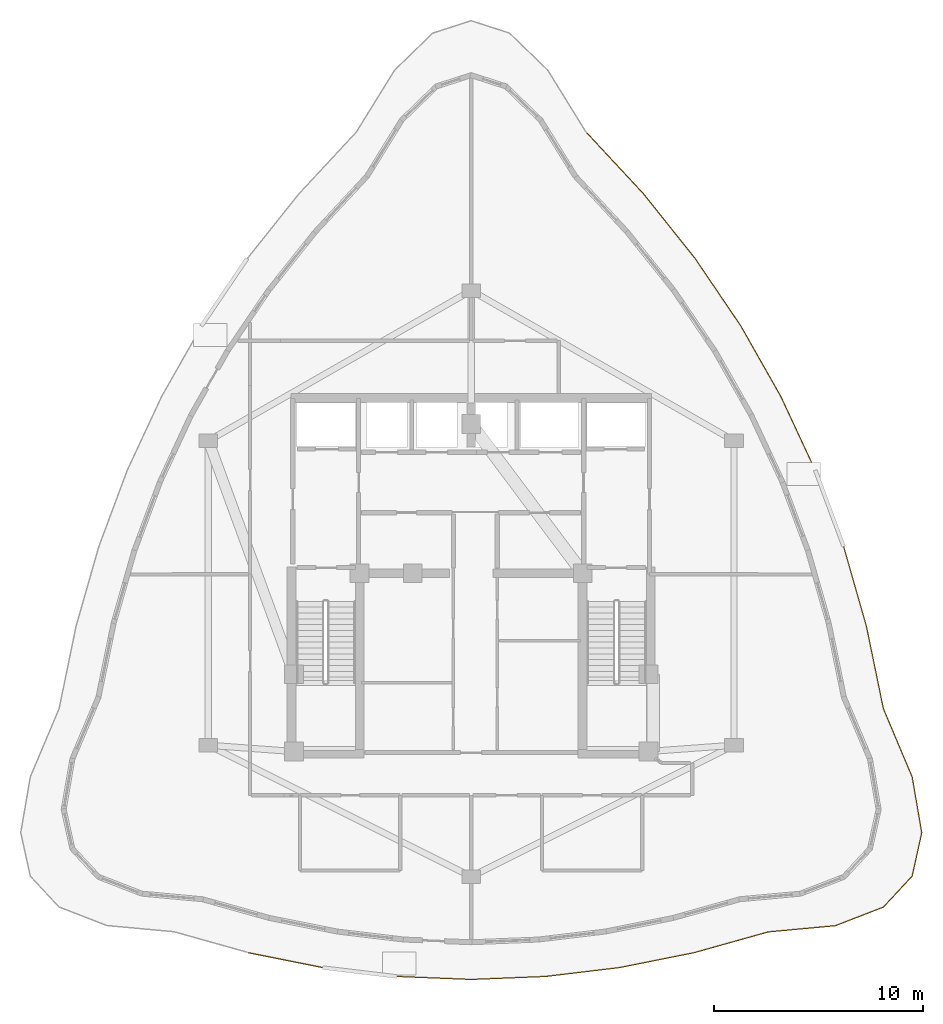
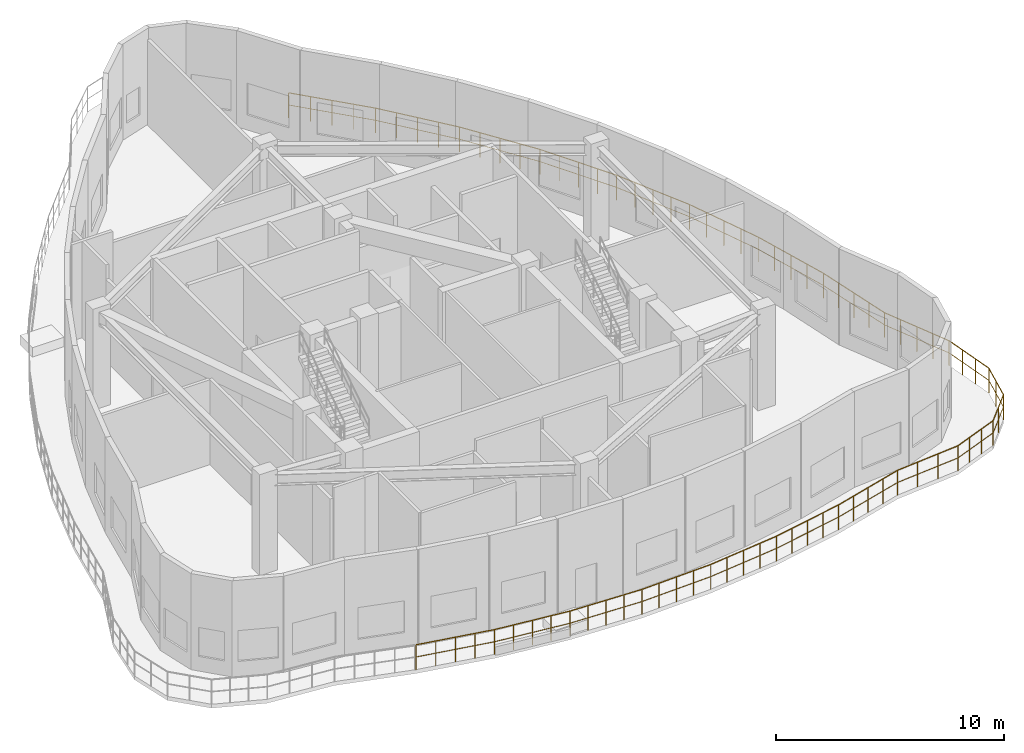
# One storey, part 11 of 11: 1 railing.
"""IFC4 building model written with IfcOpenShell, lengths in metres."""

from ifc_helpers import new_model, si_unit, direction, frame, origin, origin_2d, place, context, subcontext, project, spatial, circle, extrude, material, type_object, element, save


model = new_model("IFC4")

# Units and contexts
model_context = context("Model", 3, precision=1e-05, world=origin(), true_north=direction((0.0, 1.0)))
body_context = subcontext(model_context, "Body", "Model", "MODEL_VIEW")
ifc_project = project(units=[si_unit("LENGTHUNIT", "METRE"), si_unit("AREAUNIT", "SQUARE_METRE"), si_unit("VOLUMEUNIT", "CUBIC_METRE"), si_unit("PLANEANGLEUNIT", "RADIAN"), si_unit("MASSUNIT", "GRAM", prefix="KILO")], contexts=[model_context])

# Site, building, storey
site_placement = place(None, origin())
site = spatial("IfcSite", under=ifc_project, at=site_placement, CompositionType="ELEMENT")
building_placement = place(site_placement, origin())
building = spatial("IfcBuilding", under=site, at=building_placement, Name="Miruveldt Soraemaru", CompositionType="ELEMENT")
storey_placement = place(building_placement, frame((0.0, 0.0, 295.39990234375)))
storey = spatial("IfcBuildingStorey", under=building, at=storey_placement, Name="L79", CompositionType="ELEMENT", Elevation=295.39990234375)

# Railing
ifc_material = material(Name="Anodised aluminium EN AW-6063 T6", Category="aluminium")
railing_type = type_object("IfcRailingType", Name="RAIL-LOOK-1350", PredefinedType="GUARDRAIL", material=ifc_material)
railing_placement = place(storey_placement, frame((33.314697265625, 25.8505859375, 0.0)))
element("IfcRailing", 1, at=railing_placement, inside=storey, type_object=railing_type, Name="L79 Planted Terrace Perimeter Guardrail (B)", PredefinedType="GUARDRAIL", context=body_context, shape_type="SweptSolid", body=[
    extrude(circle(Radius=0.02392578125, at=origin_2d()), frame((0.0, 0.0, 1.326171875), z_axis=(0.98057809047, -0.196129060799, 0.0), x_axis=(0.196129060799, 0.98057809047, 0.0)), (0.0, 0.0, 1.0), 3.63232421875),
    extrude(circle(Radius=0.01611328125, at=origin_2d()), frame((0.0, 0.0, 0.675048828125), z_axis=(0.98057809047, -0.196129060799, 0.0), x_axis=(0.196129060799, 0.98057809047, 0.0)), (0.0, 0.0, 1.0), 3.63232421875),
    extrude(circle(Radius=0.02392578125, at=origin_2d()), frame((3.561767578125, -0.71240234375, 1.326171875), z_axis=(0.992882312049, -0.119099598745, 0.0), x_axis=(0.119099598745, 0.992882312049, 0.0)), (0.0, 0.0, 1.0), 3.58740234375),
    extrude(circle(Radius=0.01611328125, at=origin_2d()), frame((3.561767578125, -0.71240234375, 0.675048828125), z_axis=(0.992882312049, -0.119099598745, 0.0), x_axis=(0.119099598745, 0.992882312049, 0.0)), (0.0, 0.0, 1.0), 3.58740234375),
    extrude(circle(Radius=0.02392578125, at=origin_2d()), frame((7.12353515625, -1.1396484375, 1.326171875), z_axis=(0.999199754771, -0.039998125765, 0.0), x_axis=(0.039998125765, 0.999199754771, 0.0)), (0.0, 0.0, 1.0), 3.564697265625),
    extrude(circle(Radius=0.01611328125, at=origin_2d()), frame((7.12353515625, -1.1396484375, 0.675048828125), z_axis=(0.999199754771, -0.039998125765, 0.0), x_axis=(0.039998125765, 0.999199754771, 0.0)), (0.0, 0.0, 1.0), 3.564697265625),
    extrude(circle(Radius=0.02392578125, at=origin_2d()), frame((10.685302734375, -1.2822265625, 1.326171875), z_axis=(0.999199754771, 0.039998125765, 0.0), x_axis=(-0.039998125765, 0.999199754771, 0.0)), (0.0, 0.0, 1.0), 3.564697265625),
    extrude(circle(Radius=0.01611328125, at=origin_2d()), frame((10.685302734375, -1.2822265625, 0.675048828125), z_axis=(0.999199754771, 0.039998125765, 0.0), x_axis=(-0.039998125765, 0.999199754771, 0.0)), (0.0, 0.0, 1.0), 3.564697265625),
    extrude(circle(Radius=0.02392578125, at=origin_2d()), frame((14.2470703125, -1.1396484375, 1.326171875), z_axis=(0.992882312049, 0.119099598745, 0.0), x_axis=(-0.119099598745, 0.992882312049, 0.0)), (0.0, 0.0, 1.0), 3.58740234375),
    extrude(circle(Radius=0.01611328125, at=origin_2d()), frame((14.2470703125, -1.1396484375, 0.675048828125), z_axis=(0.992882312049, 0.119099598745, 0.0), x_axis=(-0.119099598745, 0.992882312049, 0.0)), (0.0, 0.0, 1.0), 3.58740234375),
    extrude(circle(Radius=0.02392578125, at=origin_2d()), frame((17.808837890625, -0.71240234375, 1.326171875), z_axis=(0.98057809047, 0.196129060799, 0.0), x_axis=(-0.196129060799, 0.98057809047, 0.0)), (0.0, 0.0, 1.0), 3.63232421875),
    extrude(circle(Radius=0.01611328125, at=origin_2d()), frame((17.808837890625, -0.71240234375, 0.675048828125), z_axis=(0.98057809047, 0.196129060799, 0.0), x_axis=(-0.196129060799, 0.98057809047, 0.0)), (0.0, 0.0, 1.0), 3.63232421875),
    extrude(circle(Radius=0.02392578125, at=origin_2d()), frame((21.37060546875, 0.0, 1.326171875), z_axis=(0.962967447034, 0.269617684793, 0.0), x_axis=(-0.269617684793, 0.962967447034, 0.0)), (0.0, 0.0, 1.0), 3.698974609375),
    extrude(circle(Radius=0.01611328125, at=origin_2d()), frame((21.37060546875, 0.0, 0.675048828125), z_axis=(0.962967447034, 0.269617684793, 0.0), x_axis=(-0.269617684793, 0.962967447034, 0.0)), (0.0, 0.0, 1.0), 3.698974609375),
    extrude(circle(Radius=0.02392578125, at=origin_2d()), frame((24.9326171875, 0.997314453125, 1.326171875), z_axis=(0.99575593475, 0.092033246225, 0.0), x_axis=(-0.092033246225, 0.99575593475, 0.0)), (0.0, 0.0, 1.0), 3.233642578125),
    extrude(circle(Radius=0.01611328125, at=origin_2d()), frame((24.9326171875, 0.997314453125, 0.675048828125), z_axis=(0.99575593475, 0.092033246225, 0.0), x_axis=(-0.092033246225, 0.99575593475, 0.0)), (0.0, 0.0, 1.0), 3.233642578125),
    extrude(circle(Radius=0.02392578125, at=origin_2d()), frame((28.152587890625, 1.294921875, 1.326171875), z_axis=(0.93230888635, 0.361663020549, 0.0), x_axis=(-0.361663020549, 0.93230888635, 0.0)), (0.0, 0.0, 1.0), 2.46728515625),
    extrude(circle(Radius=0.01611328125, at=origin_2d()), frame((28.152587890625, 1.294921875, 0.675048828125), z_axis=(0.93230888635, 0.361663020549, 0.0), x_axis=(-0.361663020549, 0.93230888635, 0.0)), (0.0, 0.0, 1.0), 2.46728515625),
    extrude(circle(Radius=0.02392578125, at=origin_2d()), frame((30.452880859375, 2.187255859375, 1.326171875), z_axis=(0.680201837228, 0.733024870404, 0.0), x_axis=(-0.733024870404, 0.680201837228, 0.0)), (0.0, 0.0, 1.0), 2.029052734375),
    extrude(circle(Radius=0.01611328125, at=origin_2d()), frame((30.452880859375, 2.187255859375, 0.675048828125), z_axis=(0.680201837228, 0.733024870404, 0.0), x_axis=(-0.733024870404, 0.680201837228, 0.0)), (0.0, 0.0, 1.0), 2.029052734375),
    extrude(circle(Radius=0.02392578125, at=origin_2d()), frame((31.8330078125, 3.674560546875, 1.326171875), z_axis=(0.215693822402, 0.976461046319, 0.0), x_axis=(-0.976461046319, 0.215693822402, 0.0)), (0.0, 0.0, 1.0), 2.132568359375),
    extrude(circle(Radius=0.01611328125, at=origin_2d()), frame((31.8330078125, 3.674560546875, 0.675048828125), z_axis=(0.215693822402, 0.976461046319, 0.0), x_axis=(-0.976461046319, 0.215693822402, 0.0)), (0.0, 0.0, 1.0), 2.132568359375),
    extrude(circle(Radius=0.02392578125, at=origin_2d()), frame((32.29296875, 5.7568359375, 1.326171875), z_axis=(-0.169308018921, 0.985563186574, 0.0), x_axis=(-0.985563186574, -0.169308018921, 0.0)), (0.0, 0.0, 1.0), 2.716796875),
    extrude(circle(Radius=0.01611328125, at=origin_2d()), frame((32.29296875, 5.7568359375, 0.675048828125), z_axis=(-0.169308018921, 0.985563186574, 0.0), x_axis=(-0.985563186574, -0.169308018921, 0.0)), (0.0, 0.0, 1.0), 2.716796875),
    extrude(circle(Radius=0.02392578125, at=origin_2d()), frame((31.8330078125, 8.434326171875, 1.326171875), z_axis=(-0.388643965781, 0.921388011568, 0.0), x_axis=(-0.921388011568, -0.388643965781, 0.0)), (0.0, 0.0, 1.0), 3.551025390625),
    extrude(circle(Radius=0.01611328125, at=origin_2d()), frame((31.8330078125, 8.434326171875, 0.675048828125), z_axis=(-0.388643965781, 0.921388011568, 0.0), x_axis=(-0.921388011568, -0.388643965781, 0.0)), (0.0, 0.0, 1.0), 3.551025390625),
    extrude(circle(Radius=0.02392578125, at=origin_2d()), frame((30.452880859375, 11.706298828125, 1.326171875), z_axis=(-0.201545396719, 0.979479174389, 0.0), x_axis=(-0.979479174389, -0.201545396719, 0.0)), (0.0, 0.0, 1.0), 4.0361328125),
    extrude(circle(Radius=0.01611328125, at=origin_2d()), frame((30.452880859375, 11.706298828125, 0.675048828125), z_axis=(-0.201545396719, 0.979479174389, 0.0), x_axis=(-0.979479174389, -0.201545396719, 0.0)), (0.0, 0.0, 1.0), 4.0361328125),
    extrude(circle(Radius=0.02392578125, at=origin_2d()), frame((29.639404296875, 15.65966796875, 1.326171875), z_axis=(-0.275005831054, 0.961442558287, 0.0), x_axis=(-0.961442558287, -0.275005831054, 0.0)), (0.0, 0.0, 1.0), 3.9638671875),
    extrude(circle(Radius=0.01611328125, at=origin_2d()), frame((29.639404296875, 15.65966796875, 0.675048828125), z_axis=(-0.275005831054, 0.961442558287, 0.0), x_axis=(-0.961442558287, -0.275005831054, 0.0)), (0.0, 0.0, 1.0), 3.9638671875),
    extrude(circle(Radius=0.02392578125, at=origin_2d()), frame((28.54931640625, 19.470703125, 1.326171875), z_axis=(-0.349003785142, 0.937121314429, 0.0), x_axis=(-0.937121314429, -0.349003785142, 0.0)), (0.0, 0.0, 1.0), 3.91455078125),
    extrude(circle(Radius=0.01611328125, at=origin_2d()), frame((28.54931640625, 19.470703125, 0.675048828125), z_axis=(-0.349003785142, 0.937121314429, 0.0), x_axis=(-0.937121314429, -0.349003785142, 0.0)), (0.0, 0.0, 1.0), 3.91455078125),
    extrude(circle(Radius=0.02392578125, at=origin_2d()), frame((27.18310546875, 23.13916015625, 1.326171875), z_axis=(-0.422315040294, 0.906449119775, 0.0), x_axis=(-0.906449119775, -0.422315040294, 0.0)), (0.0, 0.0, 1.0), 3.89013671875),
    extrude(circle(Radius=0.01611328125, at=origin_2d()), frame((27.18310546875, 23.13916015625, 0.675048828125), z_axis=(-0.422315040294, 0.906449119775, 0.0), x_axis=(-0.906449119775, -0.422315040294, 0.0)), (0.0, 0.0, 1.0), 3.89013671875),
    extrude(circle(Radius=0.02392578125, at=origin_2d()), frame((25.540283203125, 26.665283203125, 1.326171875), z_axis=(-0.493371999326, 0.869818412245, 0.0), x_axis=(-0.869818412245, -0.493371999326, 0.0)), (0.0, 0.0, 1.0), 3.889892578125),
    extrude(circle(Radius=0.01611328125, at=origin_2d()), frame((25.540283203125, 26.665283203125, 0.675048828125), z_axis=(-0.493371999326, 0.869818412245, 0.0), x_axis=(-0.869818412245, -0.493371999326, 0.0)), (0.0, 0.0, 1.0), 3.889892578125),
    extrude(circle(Radius=0.02392578125, at=origin_2d()), frame((23.62109375, 30.048828125, 1.326171875), z_axis=(-0.560816426747, 0.827940176275, 0.0), x_axis=(-0.827940176275, -0.560816426747, 0.0)), (0.0, 0.0, 1.0), 3.91455078125),
    extrude(circle(Radius=0.01611328125, at=origin_2d()), frame((23.62109375, 30.048828125, 0.675048828125), z_axis=(-0.560816426747, 0.827940176275, 0.0), x_axis=(-0.827940176275, -0.560816426747, 0.0)), (0.0, 0.0, 1.0), 3.91455078125),
    extrude(circle(Radius=0.02392578125, at=origin_2d()), frame((21.42578125, 33.289794921875, 1.326171875), z_axis=(-0.623620349854, 0.781727356083, 0.0), x_axis=(-0.781727356083, -0.623620349854, 0.0)), (0.0, 0.0, 1.0), 3.9638671875),
    extrude(circle(Radius=0.01611328125, at=origin_2d()), frame((21.42578125, 33.289794921875, 0.675048828125), z_axis=(-0.623620349854, 0.781727356083, 0.0), x_axis=(-0.781727356083, -0.623620349854, 0.0)), (0.0, 0.0, 1.0), 3.9638671875),
    extrude(circle(Radius=0.02392578125, at=origin_2d()), frame((18.953857421875, 36.388427734375, 1.326171875), z_axis=(-0.680881426719, 0.732393666514, 0.0), x_axis=(-0.732393666514, -0.680881426719, 0.0)), (0.0, 0.0, 1.0), 3.981201171875),
    extrude(circle(Radius=0.01611328125, at=origin_2d()), frame((18.953857421875, 36.388427734375, 0.675048828125), z_axis=(-0.680881426719, 0.732393666514, 0.0), x_axis=(-0.732393666514, -0.680881426719, 0.0)), (0.0, 0.0, 1.0), 3.981201171875),
    extrude(circle(Radius=0.02099609375, at=origin_2d()), origin(), (0.0, 0.0, 1.0), 1.302001953125),
    extrude(circle(Radius=0.02099609375, at=origin_2d()), frame((0.890380859375, -0.17822265625, 0.0)), (0.0, 0.0, 1.0), 1.302001953125),
    extrude(circle(Radius=0.02099609375, at=origin_2d()), frame((1.78076171875, -0.356201171875, 0.0)), (0.0, 0.0, 1.0), 1.302001953125),
    extrude(circle(Radius=0.02099609375, at=origin_2d()), frame((2.67138671875, -0.5341796875, 0.0)), (0.0, 0.0, 1.0), 1.302001953125),
    extrude(circle(Radius=0.02099609375, at=origin_2d()), frame((3.561767578125, -0.71240234375, 0.0)), (0.0, 0.0, 1.0), 1.302001953125),
    extrude(circle(Radius=0.02099609375, at=origin_2d()), frame((4.4521484375, -0.8193359375, 0.0)), (0.0, 0.0, 1.0), 1.302001953125),
    extrude(circle(Radius=0.02099609375, at=origin_2d()), frame((5.3427734375, -0.926025390625, 0.0)), (0.0, 0.0, 1.0), 1.302001953125),
    extrude(circle(Radius=0.02099609375, at=origin_2d()), frame((6.233154296875, -1.03271484375, 0.0)), (0.0, 0.0, 1.0), 1.302001953125),
    extrude(circle(Radius=0.02099609375, at=origin_2d()), frame((7.12353515625, -1.1396484375, 0.0)), (0.0, 0.0, 1.0), 1.302001953125),
    extrude(circle(Radius=0.02099609375, at=origin_2d()), frame((8.013916015625, -1.17529296875, 0.0)), (0.0, 0.0, 1.0), 1.302001953125),
    extrude(circle(Radius=0.02099609375, at=origin_2d()), frame((8.904296875, -1.2109375, 0.0)), (0.0, 0.0, 1.0), 1.302001953125),
    extrude(circle(Radius=0.02099609375, at=origin_2d()), frame((9.794921875, -1.24658203125, 0.0)), (0.0, 0.0, 1.0), 1.302001953125),
    extrude(circle(Radius=0.02099609375, at=origin_2d()), frame((10.685302734375, -1.2822265625, 0.0)), (0.0, 0.0, 1.0), 1.302001953125),
    extrude(circle(Radius=0.02099609375, at=origin_2d()), frame((11.57568359375, -1.24658203125, 0.0)), (0.0, 0.0, 1.0), 1.302001953125),
    extrude(circle(Radius=0.02099609375, at=origin_2d()), frame((12.46630859375, -1.2109375, 0.0)), (0.0, 0.0, 1.0), 1.302001953125),
    extrude(circle(Radius=0.02099609375, at=origin_2d()), frame((13.356689453125, -1.17529296875, 0.0)), (0.0, 0.0, 1.0), 1.302001953125),
    extrude(circle(Radius=0.02099609375, at=origin_2d()), frame((14.2470703125, -1.1396484375, 0.0)), (0.0, 0.0, 1.0), 1.302001953125),
    extrude(circle(Radius=0.02099609375, at=origin_2d()), frame((15.137451171875, -1.03271484375, 0.0)), (0.0, 0.0, 1.0), 1.302001953125),
    extrude(circle(Radius=0.02099609375, at=origin_2d()), frame((16.02783203125, -0.926025390625, 0.0)), (0.0, 0.0, 1.0), 1.302001953125),
    extrude(circle(Radius=0.02099609375, at=origin_2d()), frame((16.91845703125, -0.8193359375, 0.0)), (0.0, 0.0, 1.0), 1.302001953125),
    extrude(circle(Radius=0.02099609375, at=origin_2d()), frame((17.808837890625, -0.71240234375, 0.0)), (0.0, 0.0, 1.0), 1.302001953125),
    extrude(circle(Radius=0.02099609375, at=origin_2d()), frame((18.69921875, -0.5341796875, 0.0)), (0.0, 0.0, 1.0), 1.302001953125),
    extrude(circle(Radius=0.02099609375, at=origin_2d()), frame((19.58984375, -0.356201171875, 0.0)), (0.0, 0.0, 1.0), 1.302001953125),
    extrude(circle(Radius=0.02099609375, at=origin_2d()), frame((20.480224609375, -0.17822265625, 0.0)), (0.0, 0.0, 1.0), 1.302001953125),
    extrude(circle(Radius=0.02099609375, at=origin_2d()), frame((21.37060546875, 0.0, 0.0)), (0.0, 0.0, 1.0), 1.302001953125),
    extrude(circle(Radius=0.02099609375, at=origin_2d()), frame((22.26123046875, 0.249267578125, 0.0)), (0.0, 0.0, 1.0), 1.302001953125),
    extrude(circle(Radius=0.02099609375, at=origin_2d()), frame((23.151611328125, 0.49853515625, 0.0)), (0.0, 0.0, 1.0), 1.302001953125),
    extrude(circle(Radius=0.02099609375, at=origin_2d()), frame((24.0419921875, 0.748046875, 0.0)), (0.0, 0.0, 1.0), 1.302001953125),
    extrude(circle(Radius=0.02099609375, at=origin_2d()), frame((24.9326171875, 0.997314453125, 0.0)), (0.0, 0.0, 1.0), 1.302001953125),
    extrude(circle(Radius=0.02099609375, at=origin_2d()), frame((26.005859375, 1.096435546875, 0.0)), (0.0, 0.0, 1.0), 1.302001953125),
    extrude(circle(Radius=0.02099609375, at=origin_2d()), frame((27.079345703125, 1.19580078125, 0.0)), (0.0, 0.0, 1.0), 1.302001953125),
    extrude(circle(Radius=0.02099609375, at=origin_2d()), frame((28.152587890625, 1.294921875, 0.0)), (0.0, 0.0, 1.0), 1.302001953125),
    extrude(circle(Radius=0.02099609375, at=origin_2d()), frame((28.91943359375, 1.59228515625, 0.0)), (0.0, 0.0, 1.0), 1.302001953125),
    extrude(circle(Radius=0.02099609375, at=origin_2d()), frame((29.68603515625, 1.889892578125, 0.0)), (0.0, 0.0, 1.0), 1.302001953125),
    extrude(circle(Radius=0.02099609375, at=origin_2d()), frame((30.452880859375, 2.187255859375, 0.0)), (0.0, 0.0, 1.0), 1.302001953125),
    extrude(circle(Radius=0.02099609375, at=origin_2d()), frame((31.14306640625, 2.930908203125, 0.0)), (0.0, 0.0, 1.0), 1.302001953125),
    extrude(circle(Radius=0.02099609375, at=origin_2d()), frame((31.8330078125, 3.674560546875, 0.0)), (0.0, 0.0, 1.0), 1.302001953125),
    extrude(circle(Radius=0.02099609375, at=origin_2d()), frame((32.06298828125, 4.7158203125, 0.0)), (0.0, 0.0, 1.0), 1.302001953125),
    extrude(circle(Radius=0.02099609375, at=origin_2d()), frame((32.29296875, 5.7568359375, 0.0)), (0.0, 0.0, 1.0), 1.302001953125),
    extrude(circle(Radius=0.02099609375, at=origin_2d()), frame((32.1396484375, 6.6494140625, 0.0)), (0.0, 0.0, 1.0), 1.302001953125),
    extrude(circle(Radius=0.02099609375, at=origin_2d()), frame((31.986328125, 7.541748046875, 0.0)), (0.0, 0.0, 1.0), 1.302001953125),
    extrude(circle(Radius=0.02099609375, at=origin_2d()), frame((31.8330078125, 8.434326171875, 0.0)), (0.0, 0.0, 1.0), 1.302001953125),
    extrude(circle(Radius=0.02099609375, at=origin_2d()), frame((31.488037109375, 9.25244140625, 0.0)), (0.0, 0.0, 1.0), 1.302001953125),
    extrude(circle(Radius=0.02099609375, at=origin_2d()), frame((31.14306640625, 10.0703125, 0.0)), (0.0, 0.0, 1.0), 1.302001953125),
    extrude(circle(Radius=0.02099609375, at=origin_2d()), frame((30.7978515625, 10.88818359375, 0.0)), (0.0, 0.0, 1.0), 1.302001953125),
    extrude(circle(Radius=0.02099609375, at=origin_2d()), frame((30.452880859375, 11.706298828125, 0.0)), (0.0, 0.0, 1.0), 1.302001953125),
    extrude(circle(Radius=0.02099609375, at=origin_2d()), frame((30.24951171875, 12.694580078125, 0.0)), (0.0, 0.0, 1.0), 1.302001953125),
    extrude(circle(Radius=0.02099609375, at=origin_2d()), frame((30.046142578125, 13.68310546875, 0.0)), (0.0, 0.0, 1.0), 1.302001953125),
    extrude(circle(Radius=0.02099609375, at=origin_2d()), frame((29.8427734375, 14.67138671875, 0.0)), (0.0, 0.0, 1.0), 1.302001953125),
    extrude(circle(Radius=0.02099609375, at=origin_2d()), frame((29.639404296875, 15.65966796875, 0.0)), (0.0, 0.0, 1.0), 1.302001953125),
    extrude(circle(Radius=0.02099609375, at=origin_2d()), frame((29.366943359375, 16.6123046875, 0.0)), (0.0, 0.0, 1.0), 1.302001953125),
    extrude(circle(Radius=0.02099609375, at=origin_2d()), frame((29.09423828125, 17.565185546875, 0.0)), (0.0, 0.0, 1.0), 1.302001953125),
    extrude(circle(Radius=0.02099609375, at=origin_2d()), frame((28.82177734375, 18.51806640625, 0.0)), (0.0, 0.0, 1.0), 1.302001953125),
    extrude(circle(Radius=0.02099609375, at=origin_2d()), frame((28.54931640625, 19.470703125, 0.0)), (0.0, 0.0, 1.0), 1.302001953125),
    extrude(circle(Radius=0.02099609375, at=origin_2d()), frame((28.207763671875, 20.3876953125, 0.0)), (0.0, 0.0, 1.0), 1.302001953125),
    extrude(circle(Radius=0.02099609375, at=origin_2d()), frame((27.8662109375, 21.304931640625, 0.0)), (0.0, 0.0, 1.0), 1.302001953125),
    extrude(circle(Radius=0.02099609375, at=origin_2d()), frame((27.524658203125, 22.22216796875, 0.0)), (0.0, 0.0, 1.0), 1.302001953125),
    extrude(circle(Radius=0.02099609375, at=origin_2d()), frame((27.18310546875, 23.13916015625, 0.0)), (0.0, 0.0, 1.0), 1.302001953125),
    extrude(circle(Radius=0.02099609375, at=origin_2d()), frame((26.7724609375, 24.020751953125, 0.0)), (0.0, 0.0, 1.0), 1.302001953125),
    extrude(circle(Radius=0.02099609375, at=origin_2d()), frame((26.36181640625, 24.90234375, 0.0)), (0.0, 0.0, 1.0), 1.302001953125),
    extrude(circle(Radius=0.02099609375, at=origin_2d()), frame((25.950927734375, 25.78369140625, 0.0)), (0.0, 0.0, 1.0), 1.302001953125),
    extrude(circle(Radius=0.02099609375, at=origin_2d()), frame((25.540283203125, 26.665283203125, 0.0)), (0.0, 0.0, 1.0), 1.302001953125),
    extrude(circle(Radius=0.02099609375, at=origin_2d()), frame((25.060546875, 27.51123046875, 0.0)), (0.0, 0.0, 1.0), 1.302001953125),
    extrude(circle(Radius=0.02099609375, at=origin_2d()), frame((24.58056640625, 28.35693359375, 0.0)), (0.0, 0.0, 1.0), 1.302001953125),
    extrude(circle(Radius=0.02099609375, at=origin_2d()), frame((24.100830078125, 29.202880859375, 0.0)), (0.0, 0.0, 1.0), 1.302001953125),
    extrude(circle(Radius=0.02099609375, at=origin_2d()), frame((23.62109375, 30.048828125, 0.0)), (0.0, 0.0, 1.0), 1.302001953125),
    extrude(circle(Radius=0.02099609375, at=origin_2d()), frame((23.072265625, 30.859130859375, 0.0)), (0.0, 0.0, 1.0), 1.302001953125),
    extrude(circle(Radius=0.02099609375, at=origin_2d()), frame((22.5234375, 31.66943359375, 0.0)), (0.0, 0.0, 1.0), 1.302001953125),
    extrude(circle(Radius=0.02099609375, at=origin_2d()), frame((21.974609375, 32.4794921875, 0.0)), (0.0, 0.0, 1.0), 1.302001953125),
    extrude(circle(Radius=0.02099609375, at=origin_2d()), frame((21.42578125, 33.289794921875, 0.0)), (0.0, 0.0, 1.0), 1.302001953125),
    extrude(circle(Radius=0.02099609375, at=origin_2d()), frame((20.807861328125, 34.064453125, 0.0)), (0.0, 0.0, 1.0), 1.302001953125),
    extrude(circle(Radius=0.02099609375, at=origin_2d()), frame((20.18994140625, 34.839111328125, 0.0)), (0.0, 0.0, 1.0), 1.302001953125),
    extrude(circle(Radius=0.02099609375, at=origin_2d()), frame((19.57177734375, 35.61376953125, 0.0)), (0.0, 0.0, 1.0), 1.302001953125),
    extrude(circle(Radius=0.02099609375, at=origin_2d()), frame((18.953857421875, 36.388427734375, 0.0)), (0.0, 0.0, 1.0), 1.302001953125),
    extrude(circle(Radius=0.02099609375, at=origin_2d()), frame((18.276123046875, 37.117431640625, 0.0)), (0.0, 0.0, 1.0), 1.302001953125),
    extrude(circle(Radius=0.02099609375, at=origin_2d()), frame((17.5986328125, 37.84619140625, 0.0)), (0.0, 0.0, 1.0), 1.302001953125),
    extrude(circle(Radius=0.02099609375, at=origin_2d()), frame((16.9208984375, 38.5751953125, 0.0)), (0.0, 0.0, 1.0), 1.302001953125),
    extrude(circle(Radius=0.02099609375, at=origin_2d()), frame((16.2431640625, 39.30419921875, 0.0)), (0.0, 0.0, 1.0), 1.302001953125),
])

save(model, "model.ifc")
